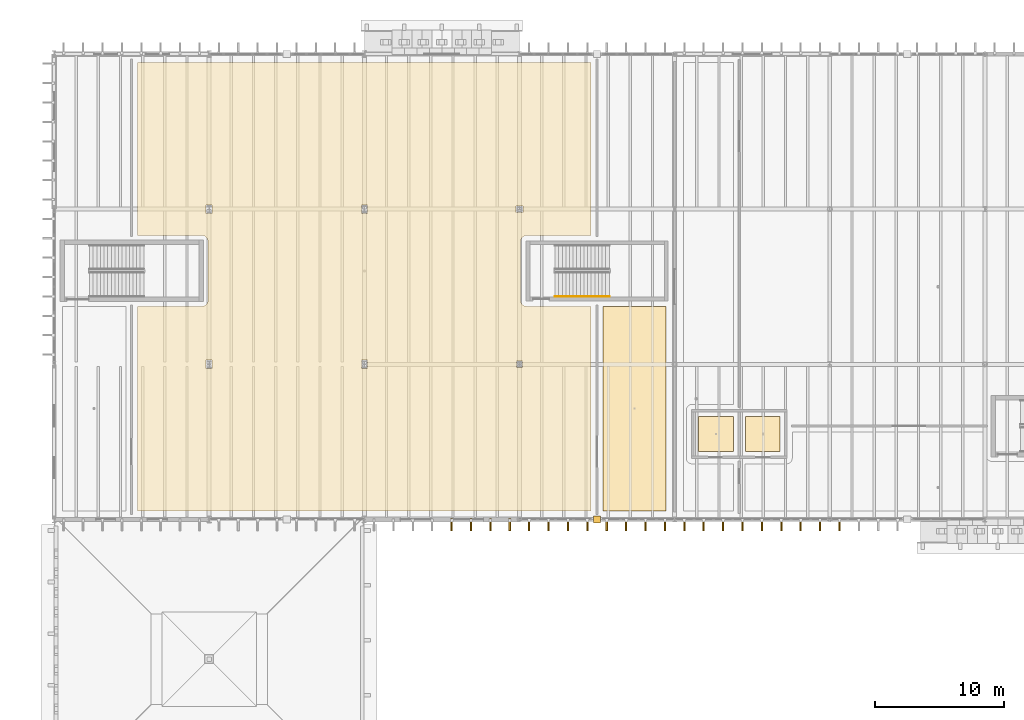
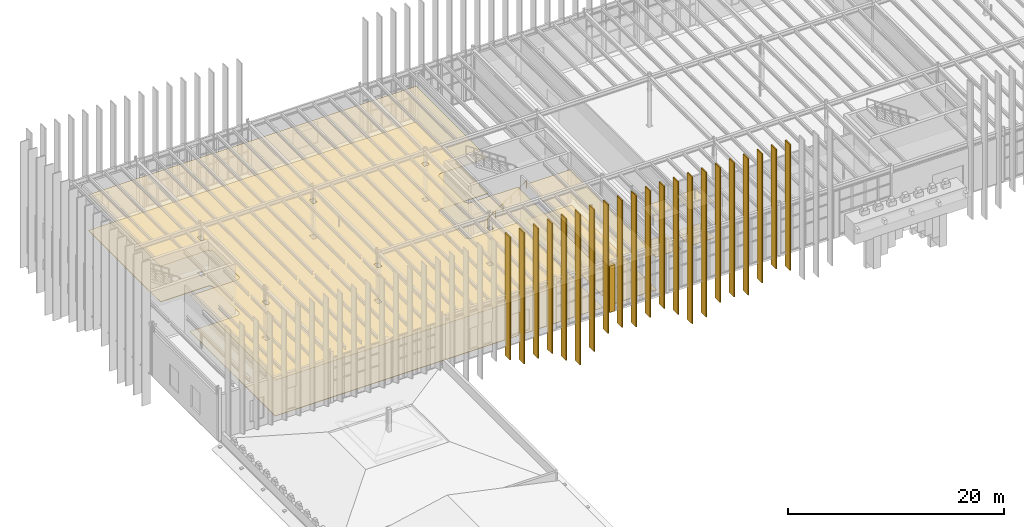
# One storey, part 63 of 83: 30 coverings, 1 railing.
"""IFC4 building model written with IfcOpenShell, lengths in metres."""

import ifcopenshell
import ifcopenshell.guid

model = None  # the IFC model being written
_history = None  # IfcOwnerHistory: only IFC2X3 demands one
_inside = {}  # id of a spatial element -> (the spatial element, [elements in it])
_under = {}  # id of a project, library or spatial element -> (it, [spatial elements below it])
_declared = {}  # id of a project -> (the project, [libraries it declares])
_typed = {}  # id of a type object -> (the type object, [elements of that type])
_made_of = {}  # id of a material, layer set ... -> (it, [elements and type objects made of it])


def new_model(schema):
    """Start an empty IFC model of exactly this schema.

    Asked for "IFC4X3", IfcOpenShell would pick the latest addendum, in which some entities
    have other attributes; the version numbers below select the first issue.
    IFC2X3 requires an IfcOwnerHistory on every rooted entity: one is made here for all.
    """
    global model, _history
    if schema == "IFC4X3":
        model = ifcopenshell.file(schema_version=(4, 3, 0, 0))
    else:
        model = ifcopenshell.file(schema=schema)
    _inside.clear()
    _under.clear()
    _declared.clear()
    _typed.clear()
    _made_of.clear()
    _history = None
    if model.schema == "IFC2X3":
        org = make("IfcOrganization", Name="unknown")
        user = make(
            "IfcPersonAndOrganization",
            ThePerson=make("IfcPerson", FamilyName="unknown"),
            TheOrganization=org,
        )
        app = make(
            "IfcApplication",
            ApplicationDeveloper=org,
            Version="unknown",
            ApplicationFullName="unknown",
            ApplicationIdentifier="unknown",
        )
        _history = make(
            "IfcOwnerHistory",
            OwningUser=user,
            OwningApplication=app,
            ChangeAction="ADDED",
            CreationDate=0,
        )
    return model


def make(cls, **values):
    """One entity of the class cls with the attributes given. An attribute that is None is left unset."""
    return model.create_entity(
        cls, **{name: value for name, value in values.items() if value is not None}
    )


def rooted(cls, **values):
    """An entity with a GlobalId (a new one), such as an element, a storey or a relation."""
    return make(cls, GlobalId=ifcopenshell.guid.new(), OwnerHistory=_history, **values)


def si_unit(unit_type, name, prefix=None):
    """IfcSIUnit, for example si_unit("LENGTHUNIT", "METRE", prefix="MILLI")."""
    return make("IfcSIUnit", UnitType=unit_type, Prefix=prefix, Name=name)


def assignment(units):
    """IfcUnitAssignment: the units of a project."""
    return None if units is None else make("IfcUnitAssignment", Units=units)


def point(xyz):
    """IfcCartesianPoint."""
    return None if xyz is None else make("IfcCartesianPoint", Coordinates=xyz)


def direction(xyz):
    """IfcDirection."""
    return None if xyz is None else make("IfcDirection", DirectionRatios=xyz)


def frame(location, z_axis=None, x_axis=None):
    """IfcAxis2Placement3D, a coordinate frame: its origin and axes. An axis left out is left unset."""
    return make(
        "IfcAxis2Placement3D",
        Location=point(location),
        Axis=direction(z_axis),
        RefDirection=direction(x_axis),
    )


def frame_2d(location, x_axis=None):
    """IfcAxis2Placement2D, a coordinate frame in the plane: its origin and x axis."""
    return make(
        "IfcAxis2Placement2D", Location=point(location), RefDirection=direction(x_axis)
    )


def origin():
    """The frame at (0, 0, 0) with its axes left unset."""
    return frame((0.0, 0.0, 0.0))


def origin_2d():
    """The frame at (0, 0) in the plane with its x axis left unset."""
    return frame_2d((0.0, 0.0))


def place(relative_to, where):
    """IfcLocalPlacement: puts the frame where relative to a parent placement (None: the world)."""
    return make(
        "IfcLocalPlacement", PlacementRelTo=relative_to, RelativePlacement=where
    )


def context(
    kind, dimensions, precision=None, world=None, true_north=None, identifier=None
):
    """IfcGeometricRepresentationContext, for example the 3D "Model" context."""
    return make(
        "IfcGeometricRepresentationContext",
        ContextIdentifier=identifier,
        ContextType=kind,
        CoordinateSpaceDimension=dimensions,
        Precision=precision,
        WorldCoordinateSystem=world,
        TrueNorth=true_north,
    )


def subcontext(parent, identifier, kind, view, scale=None):
    """IfcGeometricRepresentationSubContext, for example "Body" below "Model"."""
    return make(
        "IfcGeometricRepresentationSubContext",
        ContextIdentifier=identifier,
        ContextType=kind,
        ParentContext=parent,
        TargetScale=scale,
        TargetView=view,
    )


def project(units=None, contexts=None):
    """IfcProject with its units and contexts."""
    return rooted(
        "IfcProject",
        Name="project",
        RepresentationContexts=contexts,
        UnitsInContext=assignment(units),
    )


def spatial(cls, under=None, at=None, **own):
    """A site, building, storey or space (cls), placed at a placement, below another one or the project."""
    s = rooted(cls, ObjectPlacement=at, **own)
    if under is not None:
        _under.setdefault(under.id(), (under, []))[1].append(s)
    return s


def polyline(points):
    """IfcPolyline through the points."""
    return make("IfcPolyline", Points=[point(p) for p in points])


def profile(cls, at=None, kind="AREA", **sizes):
    """A parametric profile (cls). Its sizes go by their IFC names, for example OverallWidth=200.0."""
    return make(cls, ProfileType=kind, Position=at, **sizes)


def circle(**sizes):
    """IfcCircleProfileDef."""
    return profile("IfcCircleProfileDef", **sizes)


def outline(outer, holes=None, kind="AREA"):
    """IfcArbitraryClosedProfileDef: a profile drawn as a closed curve; with holes, ...WithVoids."""
    if holes is None:
        return make("IfcArbitraryClosedProfileDef", ProfileType=kind, OuterCurve=outer)
    return make(
        "IfcArbitraryProfileDefWithVoids",
        ProfileType=kind,
        OuterCurve=outer,
        InnerCurves=holes,
    )


def extrude(swept, where, along, depth):
    """IfcExtrudedAreaSolid: the profile swept, set in the frame where, extruded along a direction by depth."""
    return make(
        "IfcExtrudedAreaSolid",
        SweptArea=swept,
        Position=where,
        ExtrudedDirection=direction(along),
        Depth=depth,
    )


def shape(context_of_items, identifier, shape_type, items):
    """IfcShapeRepresentation: the items that make up one representation, for example the "Body"."""
    return make(
        "IfcShapeRepresentation",
        ContextOfItems=context_of_items,
        RepresentationIdentifier=identifier,
        RepresentationType=shape_type,
        Items=items,
    )


def material(Name=None, Category=None):
    """IfcMaterial."""
    return make("IfcMaterial", Name=Name, Category=Category)


def layer(
    of_material, thickness, ventilated=None, Name=None, Category=None, Priority=None
):
    """IfcMaterialLayer: one layer of a wall or slab, of a material (None: an air gap)."""
    return make(
        "IfcMaterialLayer",
        Material=of_material,
        LayerThickness=thickness,
        IsVentilated=ventilated,
        Name=Name,
        Category=Category,
        Priority=Priority,
    )


def layer_set(layers, Name=None):
    """IfcMaterialLayerSet."""
    return make("IfcMaterialLayerSet", MaterialLayers=layers, LayerSetName=Name)


def made_of(thing, what):
    """Note that an element or type object is made of a material, layer set ...; save() writes the relation."""
    if what is not None:
        _made_of.setdefault(what.id(), (what, []))[1].append(thing)
    return thing


def type_object(cls, material=None, **own):
    """A type object (cls), such as IfcWallType, which elements share."""
    return made_of(rooted(cls, **own), material)


def element(
    cls,
    number,
    at=None,
    inside=None,
    cuts=None,
    type_object=None,
    material=None,
    context=None,
    identifier="Body",
    shape_type=None,
    held_by="IfcProductDefinitionShape",
    body=None,
    shapes=None,
    **own,
):
    """One element of the class cls, such as IfcWall. Its Tag is "e" and its number.

    at: its placement. inside: the storey or other place that contains it. cuts: it is an
    opening in that element (IfcRelVoidsElement). A single representation is given by context,
    identifier, shape_type and body (its items); several are given by shapes. held_by: the class
    of the entity that holds the representations. save() writes the other relations.
    """
    e = rooted(cls, Tag="e%d" % number, ObjectPlacement=at, **own)
    if body is not None:
        shapes = [shape(context, identifier, shape_type, body)]
    if shapes is not None:
        e.Representation = make(held_by, Representations=shapes)
    if inside is not None:
        _inside.setdefault(inside.id(), (inside, []))[1].append(e)
    if cuts is not None:
        rooted(
            "IfcRelVoidsElement", RelatingBuildingElement=cuts, RelatedOpeningElement=e
        )
    if type_object is not None:
        _typed.setdefault(type_object.id(), (type_object, []))[1].append(e)
    return made_of(e, material)


def aggregate(whole, parts):
    """IfcRelAggregates: a whole, such as a stair, and the parts it consists of."""
    return rooted("IfcRelAggregates", RelatingObject=whole, RelatedObjects=parts)


def save(model, path):
    """Write the relations noted so far, then the file.

    IfcRelAggregates (storeys below a building ...), IfcRelContainedInSpatialStructure (elements
    in a storey), IfcRelDefinesByType, IfcRelAssociatesMaterial and IfcRelDeclares: one each for
    every whole, place, type object, material and project.
    """
    for whole, parts in _under.values():
        aggregate(whole, parts)
    for where, things in _inside.values():
        rooted(
            "IfcRelContainedInSpatialStructure",
            RelatedElements=things,
            RelatingStructure=where,
        )
    for kind, things in _typed.values():
        rooted("IfcRelDefinesByType", RelatedObjects=things, RelatingType=kind)
    for what, things in _made_of.values():
        rooted("IfcRelAssociatesMaterial", RelatedObjects=things, RelatingMaterial=what)
    for by, libraries in _declared.values():
        rooted("IfcRelDeclares", RelatingContext=by, RelatedDefinitions=libraries)
    model.write(path)


model = new_model("IFC4")

# Units and contexts
model_context = context("Model", 3, precision=1e-05, world=origin(), true_north=direction((0.0, 1.0)))
body_context = subcontext(model_context, "Body", "Model", "MODEL_VIEW")
ifc_project = project(units=[si_unit("LENGTHUNIT", "METRE"), si_unit("AREAUNIT", "SQUARE_METRE"), si_unit("VOLUMEUNIT", "CUBIC_METRE"), si_unit("PLANEANGLEUNIT", "RADIAN"), si_unit("MASSUNIT", "GRAM", prefix="KILO")], contexts=[model_context])

# Site, building, storey
site_placement = place(None, origin())
site = spatial("IfcSite", under=ifc_project, at=site_placement, CompositionType="ELEMENT")
building_placement = place(site_placement, origin())
building = spatial("IfcBuilding", under=site, at=building_placement, Name="Zlatogorsky Bluff Art Gallery", CompositionType="ELEMENT")
storey_placement = place(building_placement, frame((0.0, 0.0, 10.800048828125)))
storey = spatial("IfcBuildingStorey", under=building, at=storey_placement, Name="L02", CompositionType="ELEMENT", Elevation=10.800048828125)

# Coverings
ifc_material_1 = material(Name="Perforated Gypsum Acoustic Board", Category="gypsum")
ifc_layer_1 = layer(ifc_material_1, 0.0400390625)
ifc_layer_set_1 = layer_set([ifc_layer_1], Name="Acoustic Gallery Ceiling CLG-01")
covering_type_1 = type_object("IfcCoveringType", Name="Acoustic Gallery Ceiling CLG-01", PredefinedType="CEILING", material=ifc_layer_set_1)
covering_1_placement = place(storey_placement, frame((0.0, 0.0, 4.050048828125)))
element("IfcCovering", 1, at=covering_1_placement, inside=storey, type_object=covering_type_1, Name="Public Restrooms and Staff WC acoustic ceiling", PredefinedType="CEILING", context=body_context, shape_type="SweptSolid", body=[
    extrude(outline(polyline([(52.550048828125, 91.949951171875), (52.550048828125, 89.25), (49.85009765625, 89.25), (49.85009765625, 91.949951171875), (52.550048828125, 91.949951171875)])), origin(), (0.0, 0.0, 1.0), 0.039794921875),
])
covering_2_placement = place(storey_placement, frame((0.0, 0.0, 4.050048828125)))
element("IfcCovering", 2, at=covering_2_placement, inside=storey, type_object=covering_type_1, Name="Accessible WC acoustic ceiling", PredefinedType="CEILING", context=body_context, shape_type="SweptSolid", body=[
    extrude(outline(polyline([(56.14990234375, 89.25), (53.5, 89.25), (53.5, 91.949951171875), (56.14990234375, 91.949951171875), (56.14990234375, 89.25)])), origin(), (0.0, 0.0, 1.0), 0.039794921875),
])
covering_3_placement = place(storey_placement, frame((0.0, 0.0, 4.050048828125)))
element("IfcCovering", 3, at=covering_3_placement, inside=storey, type_object=covering_type_1, Name="Permanent Painting Gallery acoustic ceiling", PredefinedType="CEILING", context=body_context, shape_type="SweptSolid", body=[
    extrude(outline(polyline([(6.449951171875, 100.489990234375), (11.450927734375, 100.489990234375), (11.495361328125, 100.4921875), (11.539306640625, 100.498779296875), (11.540283203125, 100.498779296875), (11.549560546875, 100.5009765625), (11.550537109375, 100.501220703125), (11.59375, 100.512939453125), (11.6357421875, 100.529296875), (11.637451171875, 100.530029296875), (11.673095703125, 100.5478515625), (11.674072265625, 100.54833984375), (11.706298828125, 100.568115234375), (11.73681640625, 100.59033203125), (11.73828125, 100.591552734375), (11.775390625, 100.624755859375), (11.80859375, 100.661865234375), (11.809814453125, 100.663330078125), (11.83203125, 100.693603515625), (11.851806640625, 100.725830078125), (11.852294921875, 100.726806640625), (11.8701171875, 100.762451171875), (11.870849609375, 100.764404296875), (11.886962890625, 100.80615234375), (11.89892578125, 100.849609375), (11.899169921875, 100.850341796875), (11.901123046875, 100.859619140625), (11.9013671875, 100.860595703125), (11.90771484375, 100.90478515625), (11.909912109375, 100.948974609375), (11.909912109375, 105.5009765625), (11.90771484375, 105.54541015625), (11.9013671875, 105.58935546875), (11.901123046875, 105.59033203125), (11.899169921875, 105.599609375), (11.89892578125, 105.6005859375), (11.886962890625, 105.643798828125), (11.870849609375, 105.685791015625), (11.8701171875, 105.6875), (11.852294921875, 105.72314453125), (11.851806640625, 105.72412109375), (11.83203125, 105.75634765625), (11.809814453125, 105.78662109375), (11.80859375, 105.7880859375), (11.775390625, 105.8251953125), (11.73828125, 105.8583984375), (11.73681640625, 105.859619140625), (11.706298828125, 105.882080078125), (11.674072265625, 105.901611328125), (11.673095703125, 105.902099609375), (11.637451171875, 105.919921875), (11.63671875, 105.92041015625), (11.6357421875, 105.9208984375), (11.59375, 105.93701171875), (11.550537109375, 105.948974609375), (11.549560546875, 105.94921875), (11.540283203125, 105.951171875), (11.539306640625, 105.951416015625), (11.495361328125, 105.957763671875), (11.450927734375, 105.9599609375), (6.449951171875, 105.9599609375), (6.449951171875, 119.330078125), (41.550048828125, 119.330078125), (41.550048828125, 105.9599609375), (36.549072265625, 105.9599609375), (36.504638671875, 105.957763671875), (36.460693359375, 105.951416015625), (36.459716796875, 105.951171875), (36.450439453125, 105.94921875), (36.449462890625, 105.948974609375), (36.40625, 105.93701171875), (36.3642578125, 105.9208984375), (36.36328125, 105.92041015625), (36.362548828125, 105.919921875), (36.326904296875, 105.902099609375), (36.325927734375, 105.901611328125), (36.293701171875, 105.882080078125), (36.26318359375, 105.859619140625), (36.26171875, 105.8583984375), (36.224609375, 105.8251953125), (36.19140625, 105.7880859375), (36.190185546875, 105.78662109375), (36.16796875, 105.75634765625), (36.148193359375, 105.72412109375), (36.147705078125, 105.72314453125), (36.1298828125, 105.6875), (36.129638671875, 105.6865234375), (36.129150390625, 105.685791015625), (36.113037109375, 105.643798828125), (36.10107421875, 105.6005859375), (36.100830078125, 105.599609375), (36.098876953125, 105.59033203125), (36.0986328125, 105.58935546875), (36.09228515625, 105.54541015625), (36.090087890625, 105.5009765625), (36.090087890625, 100.948974609375), (36.09228515625, 100.90478515625), (36.0986328125, 100.860595703125), (36.098876953125, 100.859619140625), (36.100830078125, 100.850341796875), (36.10107421875, 100.849609375), (36.113037109375, 100.80615234375), (36.129150390625, 100.764404296875), (36.129638671875, 100.763427734375), (36.1298828125, 100.762451171875), (36.147705078125, 100.726806640625), (36.148193359375, 100.725830078125), (36.16796875, 100.693603515625), (36.190185546875, 100.663330078125), (36.19140625, 100.661865234375), (36.224609375, 100.624755859375), (36.26171875, 100.591552734375), (36.26318359375, 100.59033203125), (36.293701171875, 100.568115234375), (36.325927734375, 100.54833984375), (36.326904296875, 100.5478515625), (36.362548828125, 100.530029296875), (36.3642578125, 100.529296875), (36.40625, 100.512939453125), (36.449462890625, 100.501220703125), (36.450439453125, 100.5009765625), (36.459716796875, 100.498779296875), (36.460693359375, 100.498779296875), (36.504638671875, 100.4921875), (36.549072265625, 100.489990234375), (41.550048828125, 100.489990234375), (41.550048828125, 84.669921875), (6.449951171875, 84.669921875), (6.449951171875, 100.489990234375)]), holes=[polyline([(36.22998046875, 95.739990234375), (36.22998046875, 96.260009765625), (35.77001953125, 96.260009765625), (35.77001953125, 95.739990234375), (36.22998046875, 95.739990234375)]), polyline([(23.77001953125, 95.669921875), (24.22998046875, 95.669921875), (24.22998046875, 96.330078125), (23.77001953125, 96.330078125), (23.77001953125, 95.669921875)]), polyline([(11.77001953125, 95.669921875), (12.22998046875, 95.669921875), (12.22998046875, 96.330078125), (11.77001953125, 96.330078125), (11.77001953125, 95.669921875)]), polyline([(23.77001953125, 107.669921875), (24.22998046875, 107.669921875), (24.22998046875, 108.330078125), (23.77001953125, 108.330078125), (23.77001953125, 107.669921875)]), polyline([(11.77001953125, 107.669921875), (12.22998046875, 107.669921875), (12.22998046875, 108.330078125), (11.77001953125, 108.330078125), (11.77001953125, 107.669921875)]), polyline([(35.7421875, 107.7421875), (36.2578125, 107.7421875), (36.2578125, 108.2578125), (35.7421875, 108.2578125), (35.7421875, 107.7421875)])]), origin(), (0.0, 0.0, 1.0), 0.039794921875),
])
covering_4_placement = place(storey_placement, frame((0.0, 0.0, 4.050048828125)))
element("IfcCovering", 4, at=covering_4_placement, inside=storey, type_object=covering_type_1, Name="Permanent Painting Gallery acoustic ceiling", PredefinedType="CEILING", context=body_context, shape_type="SweptSolid", body=[
    extrude(outline(polyline([(42.449951171875, 84.669921875), (42.449951171875, 100.489990234375), (47.330078125, 100.489990234375), (47.330078125, 84.669921875), (42.449951171875, 84.669921875)])), origin(), (0.0, 0.0, 1.0), 0.039794921875),
])
ifc_material_2 = material(Name="Honed Red Agra-Tone Quartzitic Sandstone", Category="masonry")
ifc_layer_2 = layer(ifc_material_2, 0.1201171875)
ifc_layer_set_2 = layer_set([ifc_layer_2], Name="Carved Sandstone Cladding CLD-02")
covering_type_2 = type_object("IfcCoveringType", Name="Carved Sandstone Cladding CLD-02", PredefinedType="CLADDING", material=ifc_layer_set_2)
covering_5_placement = place(storey_placement, frame((0.0, 0.0, -0.030029296875)))
element("IfcCovering", 5, at=covering_5_placement, inside=storey, type_object=covering_type_2, Name="Mughal dalan central sandstone pier L02 S 3.8", PredefinedType="CLADDING", context=body_context, shape_type="SweptSolid", body=[
    extrude(outline(polyline([(41.719970703125, 83.719970703125), (42.280029296875, 83.719970703125), (42.280029296875, 84.280029296875), (41.719970703125, 84.280029296875), (41.719970703125, 83.719970703125)])), origin(), (0.0, 0.0, 1.0), 5.239990234375),
])

# Railing
ifc_material_3 = material(Name="Brushed Stainless Steel", Category="steel")
railing_type = type_object("IfcRailingType", Name="Stair Pitch Handrail 900mm", PredefinedType="HANDRAIL", material=ifc_material_3)
railing_placement = place(storey_placement, frame((38.75, 101.25, 0.1875)))
element("IfcRailing", 6, at=railing_placement, inside=storey, type_object=railing_type, Name="L02 ST-07 stair handrail 1", PredefinedType="HANDRAIL", context=body_context, shape_type="SweptSolid", body=[
    extrude(circle(Radius=0.02392578125, at=origin_2d()), frame((0.0, 0.0, 0.8759765625), z_axis=(0.830904186295, 0.0, 0.556415522067), x_axis=(0.0, 1.0, 0.0)), (0.0, 0.0, 1.0), 5.0546875),
    extrude(circle(Radius=0.02099609375, at=origin_2d()), origin(), (0.0, 0.0, 1.0), 0.851806640625),
    extrude(circle(Radius=0.02099609375, at=origin_2d()), frame((0.840087890625, 0.0, 0.5625)), (0.0, 0.0, 1.0), 0.851806640625),
    extrude(circle(Radius=0.02099609375, at=origin_2d()), frame((1.679931640625, 0.0, 1.125)), (0.0, 0.0, 1.0), 0.851806640625),
    extrude(circle(Radius=0.02099609375, at=origin_2d()), frame((2.52001953125, 0.0, 1.6875)), (0.0, 0.0, 1.0), 0.851806640625),
    extrude(circle(Radius=0.02099609375, at=origin_2d()), frame((3.35986328125, 0.0, 2.25)), (0.0, 0.0, 1.0), 0.851806640625),
    extrude(circle(Radius=0.02099609375, at=origin_2d()), frame((4.199951171875, 0.0, 2.8125)), (0.0, 0.0, 1.0), 0.851806640625),
])

# Coverings
ifc_material_4 = material(Name="Polished Ural Marble Terrazzo", Category="masonry")
ifc_layer_3 = layer(ifc_material_4, 0.050048828125)
ifc_layer_set_3 = layer_set([ifc_layer_3], Name="Terrazzo Gallery Flooring FLR-01")
covering_type_3 = type_object("IfcCoveringType", Name="Terrazzo Gallery Flooring FLR-01", PredefinedType="FLOORING", material=ifc_layer_set_3)
covering_6_placement = place(storey_placement, origin())
element("IfcCovering", 7, at=covering_6_placement, inside=storey, type_object=covering_type_3, Name="Public Restrooms and Staff WC terrazzo floor finish", PredefinedType="FLOORING", context=body_context, shape_type="SweptSolid", body=[
    extrude(outline(polyline([(52.550048828125, 91.949951171875), (52.550048828125, 89.25), (49.85009765625, 89.25), (49.85009765625, 91.949951171875), (52.550048828125, 91.949951171875)])), origin(), (0.0, 0.0, 1.0), 0.050048828125),
])
covering_7_placement = place(storey_placement, origin())
element("IfcCovering", 8, at=covering_7_placement, inside=storey, type_object=covering_type_3, Name="Accessible WC terrazzo floor finish", PredefinedType="FLOORING", context=body_context, shape_type="SweptSolid", body=[
    extrude(outline(polyline([(56.14990234375, 89.25), (53.5, 89.25), (53.5, 91.949951171875), (56.14990234375, 91.949951171875), (56.14990234375, 89.25)])), origin(), (0.0, 0.0, 1.0), 0.050048828125),
])
covering_8_placement = place(storey_placement, origin())
element("IfcCovering", 9, at=covering_8_placement, inside=storey, type_object=covering_type_3, Name="Permanent Painting Gallery terrazzo floor finish", PredefinedType="FLOORING", context=body_context, shape_type="SweptSolid", body=[
    extrude(outline(polyline([(6.449951171875, 100.489990234375), (11.450927734375, 100.489990234375), (11.495361328125, 100.4921875), (11.539306640625, 100.498779296875), (11.540283203125, 100.498779296875), (11.549560546875, 100.5009765625), (11.550537109375, 100.501220703125), (11.59375, 100.512939453125), (11.6357421875, 100.529296875), (11.637451171875, 100.530029296875), (11.673095703125, 100.5478515625), (11.674072265625, 100.54833984375), (11.706298828125, 100.568115234375), (11.73681640625, 100.59033203125), (11.73828125, 100.591552734375), (11.775390625, 100.624755859375), (11.80859375, 100.661865234375), (11.809814453125, 100.663330078125), (11.83203125, 100.693603515625), (11.851806640625, 100.725830078125), (11.852294921875, 100.726806640625), (11.8701171875, 100.762451171875), (11.870849609375, 100.764404296875), (11.886962890625, 100.80615234375), (11.89892578125, 100.849609375), (11.899169921875, 100.850341796875), (11.901123046875, 100.859619140625), (11.9013671875, 100.860595703125), (11.90771484375, 100.90478515625), (11.909912109375, 100.948974609375), (11.909912109375, 105.5009765625), (11.90771484375, 105.54541015625), (11.9013671875, 105.58935546875), (11.901123046875, 105.59033203125), (11.899169921875, 105.599609375), (11.89892578125, 105.6005859375), (11.886962890625, 105.643798828125), (11.870849609375, 105.685791015625), (11.8701171875, 105.6875), (11.852294921875, 105.72314453125), (11.851806640625, 105.72412109375), (11.83203125, 105.75634765625), (11.809814453125, 105.78662109375), (11.80859375, 105.7880859375), (11.775390625, 105.8251953125), (11.73828125, 105.8583984375), (11.73681640625, 105.859619140625), (11.706298828125, 105.882080078125), (11.674072265625, 105.901611328125), (11.673095703125, 105.902099609375), (11.637451171875, 105.919921875), (11.63671875, 105.92041015625), (11.6357421875, 105.9208984375), (11.59375, 105.93701171875), (11.550537109375, 105.948974609375), (11.549560546875, 105.94921875), (11.540283203125, 105.951171875), (11.539306640625, 105.951416015625), (11.495361328125, 105.957763671875), (11.450927734375, 105.9599609375), (6.449951171875, 105.9599609375), (6.449951171875, 119.330078125), (41.550048828125, 119.330078125), (41.550048828125, 105.9599609375), (36.549072265625, 105.9599609375), (36.504638671875, 105.957763671875), (36.460693359375, 105.951416015625), (36.459716796875, 105.951171875), (36.450439453125, 105.94921875), (36.449462890625, 105.948974609375), (36.40625, 105.93701171875), (36.3642578125, 105.9208984375), (36.36328125, 105.92041015625), (36.362548828125, 105.919921875), (36.326904296875, 105.902099609375), (36.325927734375, 105.901611328125), (36.293701171875, 105.882080078125), (36.26318359375, 105.859619140625), (36.26171875, 105.8583984375), (36.224609375, 105.8251953125), (36.19140625, 105.7880859375), (36.190185546875, 105.78662109375), (36.16796875, 105.75634765625), (36.148193359375, 105.72412109375), (36.147705078125, 105.72314453125), (36.1298828125, 105.6875), (36.129638671875, 105.6865234375), (36.129150390625, 105.685791015625), (36.113037109375, 105.643798828125), (36.10107421875, 105.6005859375), (36.100830078125, 105.599609375), (36.098876953125, 105.59033203125), (36.0986328125, 105.58935546875), (36.09228515625, 105.54541015625), (36.090087890625, 105.5009765625), (36.090087890625, 100.948974609375), (36.09228515625, 100.90478515625), (36.0986328125, 100.860595703125), (36.098876953125, 100.859619140625), (36.100830078125, 100.850341796875), (36.10107421875, 100.849609375), (36.113037109375, 100.80615234375), (36.129150390625, 100.764404296875), (36.129638671875, 100.763427734375), (36.1298828125, 100.762451171875), (36.147705078125, 100.726806640625), (36.148193359375, 100.725830078125), (36.16796875, 100.693603515625), (36.190185546875, 100.663330078125), (36.19140625, 100.661865234375), (36.224609375, 100.624755859375), (36.26171875, 100.591552734375), (36.26318359375, 100.59033203125), (36.293701171875, 100.568115234375), (36.325927734375, 100.54833984375), (36.326904296875, 100.5478515625), (36.362548828125, 100.530029296875), (36.3642578125, 100.529296875), (36.40625, 100.512939453125), (36.449462890625, 100.501220703125), (36.450439453125, 100.5009765625), (36.459716796875, 100.498779296875), (36.460693359375, 100.498779296875), (36.504638671875, 100.4921875), (36.549072265625, 100.489990234375), (41.550048828125, 100.489990234375), (41.550048828125, 84.669921875), (6.449951171875, 84.669921875), (6.449951171875, 100.489990234375)]), holes=[polyline([(36.22998046875, 95.739990234375), (36.22998046875, 96.260009765625), (35.77001953125, 96.260009765625), (35.77001953125, 95.739990234375), (36.22998046875, 95.739990234375)]), polyline([(23.77001953125, 95.669921875), (24.22998046875, 95.669921875), (24.22998046875, 96.330078125), (23.77001953125, 96.330078125), (23.77001953125, 95.669921875)]), polyline([(11.77001953125, 95.669921875), (12.22998046875, 95.669921875), (12.22998046875, 96.330078125), (11.77001953125, 96.330078125), (11.77001953125, 95.669921875)]), polyline([(23.77001953125, 107.669921875), (24.22998046875, 107.669921875), (24.22998046875, 108.330078125), (23.77001953125, 108.330078125), (23.77001953125, 107.669921875)]), polyline([(11.77001953125, 107.669921875), (12.22998046875, 107.669921875), (12.22998046875, 108.330078125), (11.77001953125, 108.330078125), (11.77001953125, 107.669921875)]), polyline([(35.7421875, 107.7421875), (36.2578125, 107.7421875), (36.2578125, 108.2578125), (35.7421875, 108.2578125), (35.7421875, 107.7421875)])]), origin(), (0.0, 0.0, 1.0), 0.050048828125),
])
covering_9_placement = place(storey_placement, origin())
element("IfcCovering", 10, at=covering_9_placement, inside=storey, type_object=covering_type_3, Name="Permanent Painting Gallery terrazzo floor finish", PredefinedType="FLOORING", context=body_context, shape_type="SweptSolid", body=[
    extrude(outline(polyline([(42.449951171875, 84.669921875), (42.449951171875, 100.489990234375), (47.330078125, 100.489990234375), (47.330078125, 84.669921875), (42.449951171875, 84.669921875)])), origin(), (0.0, 0.0, 1.0), 0.050048828125),
])
ifc_material_5 = material(Name="Patinated Architectural Bronze Fin", Category="metal")
ifc_layer_4 = layer(ifc_material_5, 0.110107421875)
ifc_layer_set_4 = layer_set([ifc_layer_4], Name="Vertical Gallery Fin FIN-01")
covering_type_4 = type_object("IfcCoveringType", Name="Vertical Gallery Fin FIN-01", PredefinedType="CLADDING", material=ifc_layer_set_4)
covering_10_placement = place(storey_placement, frame((0.0, 0.0, -1.18505859375)))
element("IfcCovering", 11, at=covering_10_placement, inside=storey, type_object=covering_type_4, Name="Lifted gallery vertical bronze fin S.021", PredefinedType="CLADDING", context=body_context, shape_type="SweptSolid", body=[
    extrude(outline(polyline([(30.68994140625, 83.1201171875), (30.81005859375, 83.1201171875), (30.81005859375, 84.0400390625), (30.68994140625, 84.0400390625), (30.68994140625, 83.1201171875)])), origin(), (0.0, 0.0, 1.0), 13.864990234375),
])
covering_11_placement = place(storey_placement, frame((0.0, 0.0, -2.150146484375)))
element("IfcCovering", 12, at=covering_11_placement, inside=storey, type_object=covering_type_4, Name="Lifted gallery vertical bronze fin S.022", PredefinedType="CLADDING", context=body_context, shape_type="SweptSolid", body=[
    extrude(outline(polyline([(32.18994140625, 83.1201171875), (32.31005859375, 83.1201171875), (32.31005859375, 84.0400390625), (32.18994140625, 84.0400390625), (32.18994140625, 83.1201171875)])), origin(), (0.0, 0.0, 1.0), 14.830078125),
])
covering_12_placement = place(storey_placement, frame((0.0, 0.0, -2.073974609375)))
element("IfcCovering", 13, at=covering_12_placement, inside=storey, type_object=covering_type_4, Name="Lifted gallery vertical bronze fin S.023", PredefinedType="CLADDING", context=body_context, shape_type="SweptSolid", body=[
    extrude(outline(polyline([(33.68994140625, 83.1201171875), (33.81005859375, 83.1201171875), (33.81005859375, 84.0400390625), (33.68994140625, 84.0400390625), (33.68994140625, 83.1201171875)])), origin(), (0.0, 0.0, 1.0), 14.75390625),
])
covering_13_placement = place(storey_placement, frame((0.0, 0.0, -2.052001953125)))
element("IfcCovering", 14, at=covering_13_placement, inside=storey, type_object=covering_type_4, Name="Lifted gallery vertical bronze fin S.024", PredefinedType="CLADDING", context=body_context, shape_type="SweptSolid", body=[
    extrude(outline(polyline([(35.18994140625, 83.1201171875), (35.31005859375, 83.1201171875), (35.31005859375, 84.0400390625), (35.18994140625, 84.0400390625), (35.18994140625, 83.1201171875)])), origin(), (0.0, 0.0, 1.0), 14.73193359375),
])
covering_14_placement = place(storey_placement, frame((0.0, 0.0, -3.343017578125)))
element("IfcCovering", 15, at=covering_14_placement, inside=storey, type_object=covering_type_4, Name="Lifted gallery vertical bronze fin S.025", PredefinedType="CLADDING", context=body_context, shape_type="SweptSolid", body=[
    extrude(outline(polyline([(36.68994140625, 83.1201171875), (36.81005859375, 83.1201171875), (36.81005859375, 84.0400390625), (36.68994140625, 84.0400390625), (36.68994140625, 83.1201171875)])), origin(), (0.0, 0.0, 1.0), 16.02294921875),
])
covering_15_placement = place(storey_placement, frame((0.0, 0.0, -4.369140625)))
element("IfcCovering", 16, at=covering_15_placement, inside=storey, type_object=covering_type_4, Name="Lifted gallery vertical bronze fin S.026", PredefinedType="CLADDING", context=body_context, shape_type="SweptSolid", body=[
    extrude(outline(polyline([(38.18994140625, 83.1201171875), (38.31005859375, 83.1201171875), (38.31005859375, 84.0400390625), (38.18994140625, 84.0400390625), (38.18994140625, 83.1201171875)])), origin(), (0.0, 0.0, 1.0), 17.049072265625),
])
covering_16_placement = place(storey_placement, frame((0.0, 0.0, -3.402099609375)))
element("IfcCovering", 17, at=covering_16_placement, inside=storey, type_object=covering_type_4, Name="Lifted gallery vertical bronze fin S.027", PredefinedType="CLADDING", context=body_context, shape_type="SweptSolid", body=[
    extrude(outline(polyline([(39.68994140625, 83.1201171875), (39.81005859375, 83.1201171875), (39.81005859375, 84.0400390625), (39.68994140625, 84.0400390625), (39.68994140625, 83.1201171875)])), origin(), (0.0, 0.0, 1.0), 16.08203125),
])
covering_17_placement = place(storey_placement, frame((0.0, 0.0, -1.843994140625)))
element("IfcCovering", 18, at=covering_17_placement, inside=storey, type_object=covering_type_4, Name="Lifted gallery vertical bronze fin S.028", PredefinedType="CLADDING", context=body_context, shape_type="SweptSolid", body=[
    extrude(outline(polyline([(41.18994140625, 83.1201171875), (41.31005859375, 83.1201171875), (41.31005859375, 84.0400390625), (41.18994140625, 84.0400390625), (41.18994140625, 83.1201171875)])), origin(), (0.0, 0.0, 1.0), 14.52392578125),
])
covering_18_placement = place(storey_placement, frame((0.0, 0.0, -1.716064453125)))
element("IfcCovering", 19, at=covering_18_placement, inside=storey, type_object=covering_type_4, Name="Lifted gallery vertical bronze fin S.029", PredefinedType="CLADDING", context=body_context, shape_type="SweptSolid", body=[
    extrude(outline(polyline([(42.68994140625, 83.1201171875), (42.81005859375, 83.1201171875), (42.81005859375, 84.0400390625), (42.68994140625, 84.0400390625), (42.68994140625, 83.1201171875)])), origin(), (0.0, 0.0, 1.0), 14.39599609375),
])
covering_19_placement = place(storey_placement, frame((0.0, 0.0, -2.1650390625)))
element("IfcCovering", 20, at=covering_19_placement, inside=storey, type_object=covering_type_4, Name="Lifted gallery vertical bronze fin S.030", PredefinedType="CLADDING", context=body_context, shape_type="SweptSolid", body=[
    extrude(outline(polyline([(44.18994140625, 83.1201171875), (44.31005859375, 83.1201171875), (44.31005859375, 84.0400390625), (44.18994140625, 84.0400390625), (44.18994140625, 83.1201171875)])), origin(), (0.0, 0.0, 1.0), 14.844970703125),
])
covering_20_placement = place(storey_placement, frame((0.0, 0.0, -1.6181640625)))
element("IfcCovering", 21, at=covering_20_placement, inside=storey, type_object=covering_type_4, Name="Lifted gallery vertical bronze fin S.031", PredefinedType="CLADDING", context=body_context, shape_type="SweptSolid", body=[
    extrude(outline(polyline([(45.68994140625, 83.1201171875), (45.81005859375, 83.1201171875), (45.81005859375, 84.0400390625), (45.68994140625, 84.0400390625), (45.68994140625, 83.1201171875)])), origin(), (0.0, 0.0, 1.0), 14.298095703125),
])
covering_21_placement = place(storey_placement, frame((0.0, 0.0, -1.152099609375)))
element("IfcCovering", 22, at=covering_21_placement, inside=storey, type_object=covering_type_4, Name="Lifted gallery vertical bronze fin S.032", PredefinedType="CLADDING", context=body_context, shape_type="SweptSolid", body=[
    extrude(outline(polyline([(47.18994140625, 83.1201171875), (47.31005859375, 83.1201171875), (47.31005859375, 84.0400390625), (47.18994140625, 84.0400390625), (47.18994140625, 83.1201171875)])), origin(), (0.0, 0.0, 1.0), 13.83203125),
])
covering_22_placement = place(storey_placement, frame((0.0, 0.0, -2.363037109375)))
element("IfcCovering", 23, at=covering_22_placement, inside=storey, type_object=covering_type_4, Name="Lifted gallery vertical bronze fin S.033", PredefinedType="CLADDING", context=body_context, shape_type="SweptSolid", body=[
    extrude(outline(polyline([(48.68994140625, 83.1201171875), (48.81005859375, 83.1201171875), (48.81005859375, 84.0400390625), (48.68994140625, 84.0400390625), (48.68994140625, 83.1201171875)])), origin(), (0.0, 0.0, 1.0), 15.04296875),
])
covering_23_placement = place(storey_placement, frame((0.0, 0.0, -3.9169921875)))
element("IfcCovering", 24, at=covering_23_placement, inside=storey, type_object=covering_type_4, Name="Lifted gallery vertical bronze fin S.034", PredefinedType="CLADDING", context=body_context, shape_type="SweptSolid", body=[
    extrude(outline(polyline([(50.18994140625, 83.1201171875), (50.31005859375, 83.1201171875), (50.31005859375, 84.0400390625), (50.18994140625, 84.0400390625), (50.18994140625, 83.1201171875)])), origin(), (0.0, 0.0, 1.0), 16.596923828125),
])
covering_24_placement = place(storey_placement, frame((0.0, 0.0, -3.697998046875)))
element("IfcCovering", 25, at=covering_24_placement, inside=storey, type_object=covering_type_4, Name="Lifted gallery vertical bronze fin S.035", PredefinedType="CLADDING", context=body_context, shape_type="SweptSolid", body=[
    extrude(outline(polyline([(51.68994140625, 83.1201171875), (51.81005859375, 83.1201171875), (51.81005859375, 84.0400390625), (51.68994140625, 84.0400390625), (51.68994140625, 83.1201171875)])), origin(), (0.0, 0.0, 1.0), 16.3779296875),
])
covering_25_placement = place(storey_placement, frame((0.0, 0.0, -2.546142578125)))
element("IfcCovering", 26, at=covering_25_placement, inside=storey, type_object=covering_type_4, Name="Lifted gallery vertical bronze fin S.036", PredefinedType="CLADDING", context=body_context, shape_type="SweptSolid", body=[
    extrude(outline(polyline([(53.18994140625, 83.1201171875), (53.31005859375, 83.1201171875), (53.31005859375, 84.0400390625), (53.18994140625, 84.0400390625), (53.18994140625, 83.1201171875)])), origin(), (0.0, 0.0, 1.0), 15.22607421875),
])
covering_26_placement = place(storey_placement, frame((0.0, 0.0, -2.447021484375)))
element("IfcCovering", 27, at=covering_26_placement, inside=storey, type_object=covering_type_4, Name="Lifted gallery vertical bronze fin S.037", PredefinedType="CLADDING", context=body_context, shape_type="SweptSolid", body=[
    extrude(outline(polyline([(54.68994140625, 83.1201171875), (54.81005859375, 83.1201171875), (54.81005859375, 84.0400390625), (54.68994140625, 84.0400390625), (54.68994140625, 83.1201171875)])), origin(), (0.0, 0.0, 1.0), 15.126953125),
])
covering_27_placement = place(storey_placement, frame((0.0, 0.0, -2.7861328125)))
element("IfcCovering", 28, at=covering_27_placement, inside=storey, type_object=covering_type_4, Name="Lifted gallery vertical bronze fin S.038", PredefinedType="CLADDING", context=body_context, shape_type="SweptSolid", body=[
    extrude(outline(polyline([(56.18994140625, 83.1201171875), (56.31005859375, 83.1201171875), (56.31005859375, 84.0400390625), (56.18994140625, 84.0400390625), (56.18994140625, 83.1201171875)])), origin(), (0.0, 0.0, 1.0), 15.466064453125),
])
covering_28_placement = place(storey_placement, frame((0.0, 0.0, -1.927001953125)))
element("IfcCovering", 29, at=covering_28_placement, inside=storey, type_object=covering_type_4, Name="Lifted gallery vertical bronze fin S.039", PredefinedType="CLADDING", context=body_context, shape_type="SweptSolid", body=[
    extrude(outline(polyline([(57.68994140625, 83.1201171875), (57.81005859375, 83.1201171875), (57.81005859375, 84.0400390625), (57.68994140625, 84.0400390625), (57.68994140625, 83.1201171875)])), origin(), (0.0, 0.0, 1.0), 14.60693359375),
])
covering_29_placement = place(storey_placement, frame((0.0, 0.0, -0.85400390625)))
element("IfcCovering", 30, at=covering_29_placement, inside=storey, type_object=covering_type_4, Name="Lifted gallery vertical bronze fin S.040", PredefinedType="CLADDING", context=body_context, shape_type="SweptSolid", body=[
    extrude(outline(polyline([(59.18994140625, 83.1201171875), (59.31005859375, 83.1201171875), (59.31005859375, 84.0400390625), (59.18994140625, 84.0400390625), (59.18994140625, 83.1201171875)])), origin(), (0.0, 0.0, 1.0), 13.533935546875),
])
covering_30_placement = place(storey_placement, frame((0.0, 0.0, -1.549072265625)))
element("IfcCovering", 31, at=covering_30_placement, inside=storey, type_object=covering_type_4, Name="Lifted gallery vertical bronze fin S.041", PredefinedType="CLADDING", context=body_context, shape_type="SweptSolid", body=[
    extrude(outline(polyline([(60.68994140625, 83.1201171875), (60.81005859375, 83.1201171875), (60.81005859375, 84.0400390625), (60.68994140625, 84.0400390625), (60.68994140625, 83.1201171875)])), origin(), (0.0, 0.0, 1.0), 14.22900390625),
])

save(model, "model.ifc")
